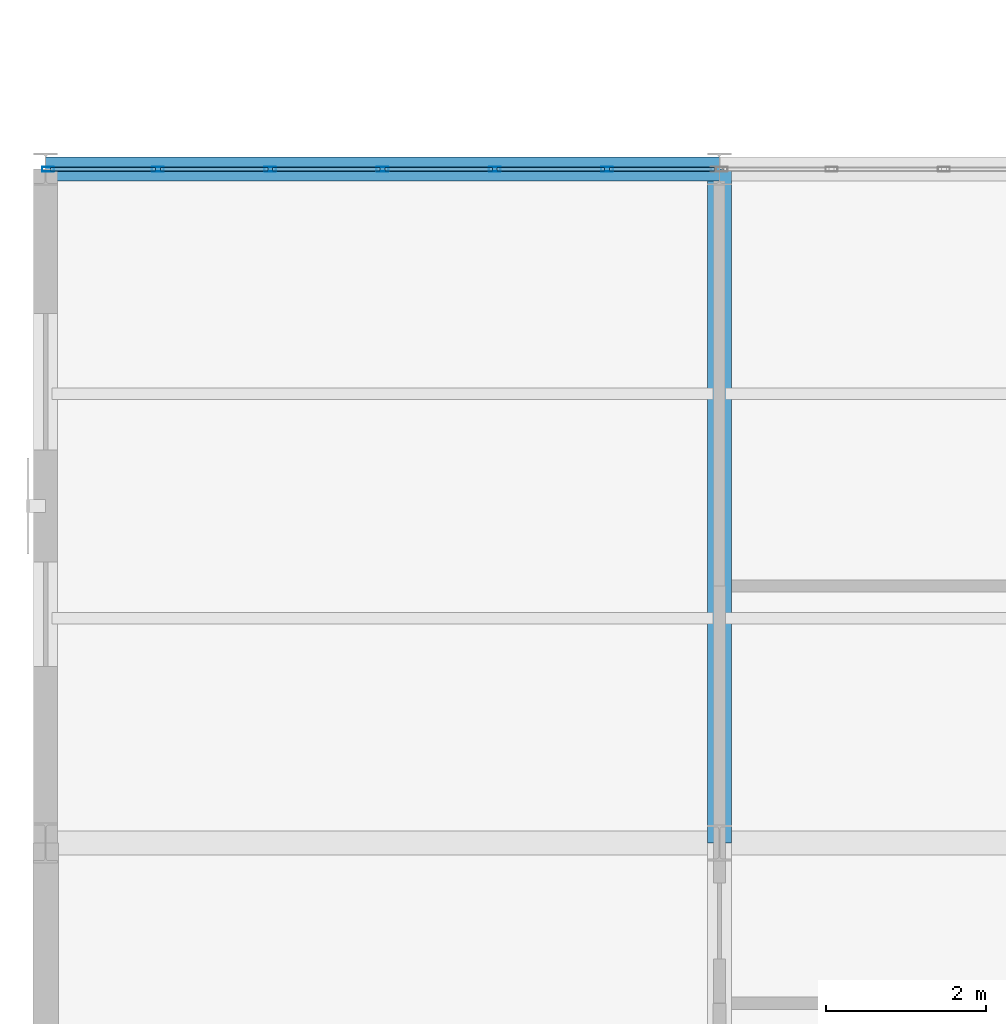
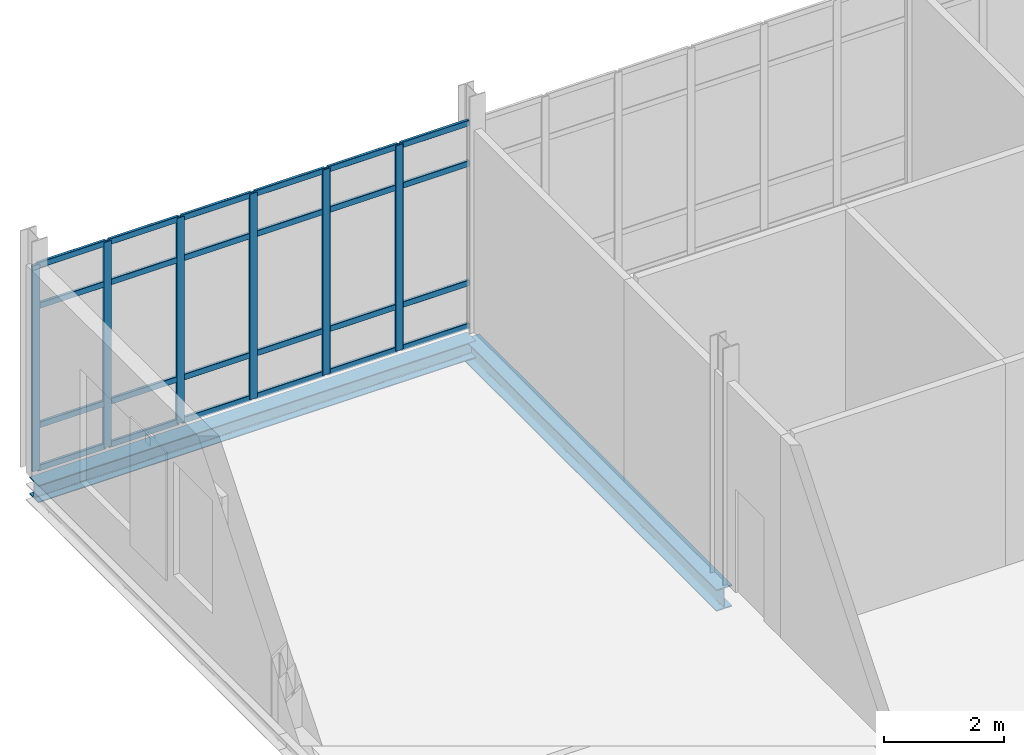
# One storey, part 63 of 145: 30 members, 2 beams, 1 element without a shape of its own.
"""IFC4 building model written with IfcOpenShell, lengths in metres."""

from ifc_helpers import new_model, si_unit, direction, frame, origin, origin_2d, place, context, subcontext, project, spatial, hollow_rectangle, i_section, extrude, material, layer, layer_set, material_profile, profile_set, type_object, element, aggregate, save


model = new_model("IFC4")

# Units and contexts
model_context = context("Model", 3, precision=1e-05, world=origin(), true_north=direction((0.0, 1.0)))
body_context = subcontext(model_context, "Body", "Model", "MODEL_VIEW")
ifc_project = project(units=[si_unit("LENGTHUNIT", "METRE"), si_unit("AREAUNIT", "SQUARE_METRE"), si_unit("VOLUMEUNIT", "CUBIC_METRE"), si_unit("PLANEANGLEUNIT", "RADIAN"), si_unit("MASSUNIT", "GRAM", prefix="KILO")], contexts=[model_context])

# Site, building, storey
site_placement = place(None, origin())
site = spatial("IfcSite", under=ifc_project, at=site_placement, CompositionType="ELEMENT")
building_placement = place(site_placement, origin())
building = spatial("IfcBuilding", under=site, at=building_placement, Name="Qalvenar Corner Mobility Hub", CompositionType="ELEMENT")
storey_placement = place(building_placement, origin())
storey = spatial("IfcBuildingStorey", under=building, at=storey_placement, Name="L00", CompositionType="ELEMENT", Elevation=0.0)

# Beams
ifc_material_1 = material(Name="Steel S355", Category="steel")
ifc_material_profile_1 = material_profile(ifc_material_1, i_section(OverallWidth=0.300048828125, OverallDepth=0.43994140625, WebThickness=0.011474609375, FlangeThickness=0.02099609375, FilletRadius=0.027099609375, at=origin_2d()), Name="HEA450")
ifc_profile_set_1 = profile_set([ifc_material_profile_1], Name="Steel S355")
beam_type_1 = type_object("IfcBeamType", Name="BM-HEA450", PredefinedType="BEAM", material=ifc_profile_set_1)
beam_1_placement = place(storey_placement, frame((8.39990234375, 84.0, -0.43994140625), z_axis=(0.0, 1.0, 0.0), x_axis=(-1.0, 0.0, 0.0)))
element("IfcBeam", 1, at=beam_1_placement, inside=storey, type_object=beam_type_1, Name="Primary Steel Girder GY-0458", PredefinedType="BEAM", context=body_context, shape_type="SweptSolid", body=[
    extrude(i_section(OverallWidth=0.300048828125, OverallDepth=0.43994140625, WebThickness=0.011474609375, FlangeThickness=0.02099609375, FilletRadius=0.027099609375, at=origin_2d()), origin(), (0.0, 0.0, 1.0), 8.39990234375),
])
ifc_material_profile_2 = material_profile(ifc_material_1, i_section(OverallWidth=0.300048828125, OverallDepth=0.35009765625, WebThickness=0.010009765625, FlangeThickness=0.017578125, FilletRadius=0.027099609375, at=origin_2d()), Name="HEA360")
ifc_profile_set_2 = profile_set([ifc_material_profile_2], Name="Steel S355")
beam_type_2 = type_object("IfcBeamType", Name="BM-SPN360", PredefinedType="SPANDREL", material=ifc_profile_set_2)
beam_2_placement = place(storey_placement, frame((0.0, 92.39990234375, -0.39501953125), z_axis=(1.0, 0.0, 0.0), x_axis=(0.0, 1.0, 0.0)))
element("IfcBeam", 2, at=beam_2_placement, inside=storey, type_object=beam_type_2, Name="Primary Steel Girder GX-0443", PredefinedType="SPANDREL", context=body_context, shape_type="SweptSolid", body=[
    extrude(i_section(OverallWidth=0.300048828125, OverallDepth=0.35009765625, WebThickness=0.010009765625, FlangeThickness=0.017578125, FilletRadius=0.027099609375, at=origin_2d()), origin(), (0.0, 0.0, 1.0), 8.39990234375),
])

# Curtain wall, members
ifc_material_2 = material(Name="Anodised Aluminium and Low-E Glazing", Category="aluminium")
ifc_layer = layer(ifc_material_2, 0.14990234375)
ifc_layer_set = layer_set([ifc_layer], Name="Anodised Aluminium and Low-E Glazing")
curtain_wall_type = type_object("IfcCurtainWallType", Name="CW-CYC-84X39", PredefinedType="NOTDEFINED", material=ifc_layer_set)
curtain_wall_placement = place(storey_placement, origin())
curtain_wall = element("IfcCurtainWall", 3, at=curtain_wall_placement, inside=storey, type_object=curtain_wall_type, Name="Glazed Curtain Wall CW-V5-L00-N0", PredefinedType="NOTDEFINED")
ifc_material_3 = material(Name="Anodised Aluminium 6063-T6", Category="aluminium")
ifc_material_profile_3 = material_profile(ifc_material_3, hollow_rectangle(XDim=0.06005859375, YDim=0.14990234375, WallThickness=0.00390625, InnerFilletRadius=0.00390625, OuterFilletRadius=0.008056640625, at=origin_2d()), Name="RHS150x60x4")
ifc_profile_set_3 = profile_set([ifc_material_profile_3], Name="Anodised Aluminium 6063-T6")
member_type_1 = type_object("IfcMemberType", Name="CW-MUL150", PredefinedType="MULLION", material=ifc_profile_set_3)
member_1_placement = place(storey_placement, frame((7.0, 92.39990234375, 0.0), z_axis=(0.0, 0.0, 1.0), x_axis=(0.0, -1.0, 0.0)))
member_1 = element("IfcMember", 4, at=member_1_placement, type_object=member_type_1, Name="CW-08 mullion 2", PredefinedType="MULLION", context=body_context, shape_type="SweptSolid", body=[
    extrude(hollow_rectangle(XDim=0.06005859375, YDim=0.14990234375, WallThickness=0.00390625, InnerFilletRadius=0.00390625, OuterFilletRadius=0.008056640625, at=origin_2d()), origin(), (0.0, 0.0, 1.0), 4.169921875),
])
member_2_placement = place(storey_placement, frame((5.60009765625, 92.39990234375, 0.0), z_axis=(0.0, 0.0, 1.0), x_axis=(0.0, -1.0, 0.0)))
member_2 = element("IfcMember", 5, at=member_2_placement, type_object=member_type_1, Name="CW-08 mullion 3", PredefinedType="MULLION", context=body_context, shape_type="SweptSolid", body=[
    extrude(hollow_rectangle(XDim=0.06005859375, YDim=0.14990234375, WallThickness=0.00390625, InnerFilletRadius=0.00390625, OuterFilletRadius=0.008056640625, at=origin_2d()), origin(), (0.0, 0.0, 1.0), 4.169921875),
])
member_3_placement = place(storey_placement, frame((4.199951171875, 92.39990234375, 0.0), z_axis=(0.0, 0.0, 1.0), x_axis=(0.0, -1.0, 0.0)))
member_3 = element("IfcMember", 6, at=member_3_placement, type_object=member_type_1, Name="CW-08 mullion 4", PredefinedType="MULLION", context=body_context, shape_type="SweptSolid", body=[
    extrude(hollow_rectangle(XDim=0.06005859375, YDim=0.14990234375, WallThickness=0.00390625, InnerFilletRadius=0.00390625, OuterFilletRadius=0.008056640625, at=origin_2d()), origin(), (0.0, 0.0, 1.0), 4.169921875),
])
member_4_placement = place(storey_placement, frame((2.800048828125, 92.39990234375, 0.0), z_axis=(0.0, 0.0, 1.0), x_axis=(0.0, -1.0, 0.0)))
member_4 = element("IfcMember", 7, at=member_4_placement, type_object=member_type_1, Name="CW-08 mullion 5", PredefinedType="MULLION", context=body_context, shape_type="SweptSolid", body=[
    extrude(hollow_rectangle(XDim=0.06005859375, YDim=0.14990234375, WallThickness=0.00390625, InnerFilletRadius=0.00390625, OuterFilletRadius=0.008056640625, at=origin_2d()), origin(), (0.0, 0.0, 1.0), 4.169921875),
])
member_5_placement = place(storey_placement, frame((1.39990234375, 92.39990234375, 0.0), z_axis=(0.0, 0.0, 1.0), x_axis=(0.0, -1.0, 0.0)))
member_5 = element("IfcMember", 8, at=member_5_placement, type_object=member_type_1, Name="CW-08 mullion 6", PredefinedType="MULLION", context=body_context, shape_type="SweptSolid", body=[
    extrude(hollow_rectangle(XDim=0.06005859375, YDim=0.14990234375, WallThickness=0.00390625, InnerFilletRadius=0.00390625, OuterFilletRadius=0.008056640625, at=origin_2d()), origin(), (0.0, 0.0, 1.0), 4.169921875),
])
member_6_placement = place(storey_placement, frame((0.030029296875, 92.39990234375, 0.0), z_axis=(0.0, 0.0, 1.0), x_axis=(0.0, -1.0, 0.0)))
member_6 = element("IfcMember", 9, at=member_6_placement, type_object=member_type_1, Name="CW-08 mullion 7", PredefinedType="MULLION", context=body_context, shape_type="SweptSolid", body=[
    extrude(hollow_rectangle(XDim=0.06005859375, YDim=0.14990234375, WallThickness=0.00390625, InnerFilletRadius=0.00390625, OuterFilletRadius=0.008056640625, at=origin_2d()), origin(), (0.0, 0.0, 1.0), 4.169921875),
])
ifc_material_profile_4 = material_profile(ifc_material_3, hollow_rectangle(XDim=0.054931640625, YDim=0.1201171875, WallThickness=0.00341796875, InnerFilletRadius=0.00341796875, OuterFilletRadius=0.007080078125, at=origin_2d()), Name="RHS120x55x3.5")
ifc_profile_set_4 = profile_set([ifc_material_profile_4], Name="Anodised Aluminium 6063-T6")
member_type_2 = type_object("IfcMemberType", Name="CW-TRN120", PredefinedType="USERDEFINED", material=ifc_profile_set_4)
member_7_placement = place(storey_placement, frame((8.340087890625, 92.39990234375, 0.027587890625), z_axis=(-1.0, 0.0, 0.0), x_axis=(0.0, -1.0, 0.0)))
member_7 = element("IfcMember", 10, at=member_7_placement, type_object=member_type_2, Name="CW-08 transom 1.1", ObjectType="TRANSOM", PredefinedType="USERDEFINED", context=body_context, shape_type="SweptSolid", body=[
    extrude(hollow_rectangle(XDim=0.054931640625, YDim=0.1201171875, WallThickness=0.00341796875, InnerFilletRadius=0.00341796875, OuterFilletRadius=0.007080078125, at=origin_2d()), origin(), (0.0, 0.0, 1.0), 1.31005859375),
])
member_8_placement = place(storey_placement, frame((8.340087890625, 92.39990234375, 0.89990234375), z_axis=(-1.0, 0.0, 0.0), x_axis=(0.0, -1.0, 0.0)))
member_8 = element("IfcMember", 11, at=member_8_placement, type_object=member_type_2, Name="CW-08 transom 1.2", ObjectType="TRANSOM", PredefinedType="USERDEFINED", context=body_context, shape_type="SweptSolid", body=[
    extrude(hollow_rectangle(XDim=0.054931640625, YDim=0.1201171875, WallThickness=0.00341796875, InnerFilletRadius=0.00341796875, OuterFilletRadius=0.007080078125, at=origin_2d()), origin(), (0.0, 0.0, 1.0), 1.31005859375),
])
member_9_placement = place(storey_placement, frame((8.340087890625, 92.39990234375, 3.320068359375), z_axis=(-1.0, 0.0, 0.0), x_axis=(0.0, -1.0, 0.0)))
member_9 = element("IfcMember", 12, at=member_9_placement, type_object=member_type_2, Name="CW-08 transom 1.3", ObjectType="TRANSOM", PredefinedType="USERDEFINED", context=body_context, shape_type="SweptSolid", body=[
    extrude(hollow_rectangle(XDim=0.054931640625, YDim=0.1201171875, WallThickness=0.00341796875, InnerFilletRadius=0.00341796875, OuterFilletRadius=0.007080078125, at=origin_2d()), origin(), (0.0, 0.0, 1.0), 1.31005859375),
])
member_10_placement = place(storey_placement, frame((8.340087890625, 92.39990234375, 4.142578125), z_axis=(-1.0, 0.0, 0.0), x_axis=(0.0, -1.0, 0.0)))
member_10 = element("IfcMember", 13, at=member_10_placement, type_object=member_type_2, Name="CW-08 transom 1.4", ObjectType="TRANSOM", PredefinedType="USERDEFINED", context=body_context, shape_type="SweptSolid", body=[
    extrude(hollow_rectangle(XDim=0.054931640625, YDim=0.1201171875, WallThickness=0.00341796875, InnerFilletRadius=0.00341796875, OuterFilletRadius=0.007080078125, at=origin_2d()), origin(), (0.0, 0.0, 1.0), 1.31005859375),
])
member_11_placement = place(storey_placement, frame((6.969970703125, 92.39990234375, 0.027587890625), z_axis=(-1.0, 0.0, 0.0), x_axis=(0.0, -1.0, 0.0)))
member_11 = element("IfcMember", 14, at=member_11_placement, type_object=member_type_2, Name="CW-08 transom 2.1", ObjectType="TRANSOM", PredefinedType="USERDEFINED", context=body_context, shape_type="SweptSolid", body=[
    extrude(hollow_rectangle(XDim=0.054931640625, YDim=0.1201171875, WallThickness=0.00341796875, InnerFilletRadius=0.00341796875, OuterFilletRadius=0.007080078125, at=origin_2d()), origin(), (0.0, 0.0, 1.0), 1.340087890625),
])
member_12_placement = place(storey_placement, frame((6.969970703125, 92.39990234375, 0.89990234375), z_axis=(-1.0, 0.0, 0.0), x_axis=(0.0, -1.0, 0.0)))
member_12 = element("IfcMember", 15, at=member_12_placement, type_object=member_type_2, Name="CW-08 transom 2.2", ObjectType="TRANSOM", PredefinedType="USERDEFINED", context=body_context, shape_type="SweptSolid", body=[
    extrude(hollow_rectangle(XDim=0.054931640625, YDim=0.1201171875, WallThickness=0.00341796875, InnerFilletRadius=0.00341796875, OuterFilletRadius=0.007080078125, at=origin_2d()), origin(), (0.0, 0.0, 1.0), 1.340087890625),
])
member_13_placement = place(storey_placement, frame((6.969970703125, 92.39990234375, 3.320068359375), z_axis=(-1.0, 0.0, 0.0), x_axis=(0.0, -1.0, 0.0)))
member_13 = element("IfcMember", 16, at=member_13_placement, type_object=member_type_2, Name="CW-08 transom 2.3", ObjectType="TRANSOM", PredefinedType="USERDEFINED", context=body_context, shape_type="SweptSolid", body=[
    extrude(hollow_rectangle(XDim=0.054931640625, YDim=0.1201171875, WallThickness=0.00341796875, InnerFilletRadius=0.00341796875, OuterFilletRadius=0.007080078125, at=origin_2d()), origin(), (0.0, 0.0, 1.0), 1.340087890625),
])
member_14_placement = place(storey_placement, frame((6.969970703125, 92.39990234375, 4.142578125), z_axis=(-1.0, 0.0, 0.0), x_axis=(0.0, -1.0, 0.0)))
member_14 = element("IfcMember", 17, at=member_14_placement, type_object=member_type_2, Name="CW-08 transom 2.4", ObjectType="TRANSOM", PredefinedType="USERDEFINED", context=body_context, shape_type="SweptSolid", body=[
    extrude(hollow_rectangle(XDim=0.054931640625, YDim=0.1201171875, WallThickness=0.00341796875, InnerFilletRadius=0.00341796875, OuterFilletRadius=0.007080078125, at=origin_2d()), origin(), (0.0, 0.0, 1.0), 1.340087890625),
])
member_15_placement = place(storey_placement, frame((5.570068359375, 92.39990234375, 0.027587890625), z_axis=(-1.0, 0.0, 0.0), x_axis=(0.0, -1.0, 0.0)))
member_15 = element("IfcMember", 18, at=member_15_placement, type_object=member_type_2, Name="CW-08 transom 3.1", ObjectType="TRANSOM", PredefinedType="USERDEFINED", context=body_context, shape_type="SweptSolid", body=[
    extrude(hollow_rectangle(XDim=0.054931640625, YDim=0.1201171875, WallThickness=0.00341796875, InnerFilletRadius=0.00341796875, OuterFilletRadius=0.007080078125, at=origin_2d()), origin(), (0.0, 0.0, 1.0), 1.340087890625),
])
member_16_placement = place(storey_placement, frame((5.570068359375, 92.39990234375, 0.89990234375), z_axis=(-1.0, 0.0, 0.0), x_axis=(0.0, -1.0, 0.0)))
member_16 = element("IfcMember", 19, at=member_16_placement, type_object=member_type_2, Name="CW-08 transom 3.2", ObjectType="TRANSOM", PredefinedType="USERDEFINED", context=body_context, shape_type="SweptSolid", body=[
    extrude(hollow_rectangle(XDim=0.054931640625, YDim=0.1201171875, WallThickness=0.00341796875, InnerFilletRadius=0.00341796875, OuterFilletRadius=0.007080078125, at=origin_2d()), origin(), (0.0, 0.0, 1.0), 1.340087890625),
])
member_17_placement = place(storey_placement, frame((5.570068359375, 92.39990234375, 3.320068359375), z_axis=(-1.0, 0.0, 0.0), x_axis=(0.0, -1.0, 0.0)))
member_17 = element("IfcMember", 20, at=member_17_placement, type_object=member_type_2, Name="CW-08 transom 3.3", ObjectType="TRANSOM", PredefinedType="USERDEFINED", context=body_context, shape_type="SweptSolid", body=[
    extrude(hollow_rectangle(XDim=0.054931640625, YDim=0.1201171875, WallThickness=0.00341796875, InnerFilletRadius=0.00341796875, OuterFilletRadius=0.007080078125, at=origin_2d()), origin(), (0.0, 0.0, 1.0), 1.340087890625),
])
member_18_placement = place(storey_placement, frame((5.570068359375, 92.39990234375, 4.142578125), z_axis=(-1.0, 0.0, 0.0), x_axis=(0.0, -1.0, 0.0)))
member_18 = element("IfcMember", 21, at=member_18_placement, type_object=member_type_2, Name="CW-08 transom 3.4", ObjectType="TRANSOM", PredefinedType="USERDEFINED", context=body_context, shape_type="SweptSolid", body=[
    extrude(hollow_rectangle(XDim=0.054931640625, YDim=0.1201171875, WallThickness=0.00341796875, InnerFilletRadius=0.00341796875, OuterFilletRadius=0.007080078125, at=origin_2d()), origin(), (0.0, 0.0, 1.0), 1.340087890625),
])
member_19_placement = place(storey_placement, frame((4.169921875, 92.39990234375, 0.027587890625), z_axis=(-1.0, 0.0, 0.0), x_axis=(0.0, -1.0, 0.0)))
member_19 = element("IfcMember", 22, at=member_19_placement, type_object=member_type_2, Name="CW-08 transom 4.1", ObjectType="TRANSOM", PredefinedType="USERDEFINED", context=body_context, shape_type="SweptSolid", body=[
    extrude(hollow_rectangle(XDim=0.054931640625, YDim=0.1201171875, WallThickness=0.00341796875, InnerFilletRadius=0.00341796875, OuterFilletRadius=0.007080078125, at=origin_2d()), origin(), (0.0, 0.0, 1.0), 1.33984375),
])
member_20_placement = place(storey_placement, frame((4.169921875, 92.39990234375, 0.89990234375), z_axis=(-1.0, 0.0, 0.0), x_axis=(0.0, -1.0, 0.0)))
member_20 = element("IfcMember", 23, at=member_20_placement, type_object=member_type_2, Name="CW-08 transom 4.2", ObjectType="TRANSOM", PredefinedType="USERDEFINED", context=body_context, shape_type="SweptSolid", body=[
    extrude(hollow_rectangle(XDim=0.054931640625, YDim=0.1201171875, WallThickness=0.00341796875, InnerFilletRadius=0.00341796875, OuterFilletRadius=0.007080078125, at=origin_2d()), origin(), (0.0, 0.0, 1.0), 1.33984375),
])
member_21_placement = place(storey_placement, frame((4.169921875, 92.39990234375, 3.320068359375), z_axis=(-1.0, 0.0, 0.0), x_axis=(0.0, -1.0, 0.0)))
member_21 = element("IfcMember", 24, at=member_21_placement, type_object=member_type_2, Name="CW-08 transom 4.3", ObjectType="TRANSOM", PredefinedType="USERDEFINED", context=body_context, shape_type="SweptSolid", body=[
    extrude(hollow_rectangle(XDim=0.054931640625, YDim=0.1201171875, WallThickness=0.00341796875, InnerFilletRadius=0.00341796875, OuterFilletRadius=0.007080078125, at=origin_2d()), origin(), (0.0, 0.0, 1.0), 1.33984375),
])
member_22_placement = place(storey_placement, frame((4.169921875, 92.39990234375, 4.142578125), z_axis=(-1.0, 0.0, 0.0), x_axis=(0.0, -1.0, 0.0)))
member_22 = element("IfcMember", 25, at=member_22_placement, type_object=member_type_2, Name="CW-08 transom 4.4", ObjectType="TRANSOM", PredefinedType="USERDEFINED", context=body_context, shape_type="SweptSolid", body=[
    extrude(hollow_rectangle(XDim=0.054931640625, YDim=0.1201171875, WallThickness=0.00341796875, InnerFilletRadius=0.00341796875, OuterFilletRadius=0.007080078125, at=origin_2d()), origin(), (0.0, 0.0, 1.0), 1.33984375),
])
member_23_placement = place(storey_placement, frame((2.77001953125, 92.39990234375, 0.027587890625), z_axis=(-1.0, 0.0, 0.0), x_axis=(0.0, -1.0, 0.0)))
member_23 = element("IfcMember", 26, at=member_23_placement, type_object=member_type_2, Name="CW-08 transom 5.1", ObjectType="TRANSOM", PredefinedType="USERDEFINED", context=body_context, shape_type="SweptSolid", body=[
    extrude(hollow_rectangle(XDim=0.054931640625, YDim=0.1201171875, WallThickness=0.00341796875, InnerFilletRadius=0.00341796875, OuterFilletRadius=0.007080078125, at=origin_2d()), origin(), (0.0, 0.0, 1.0), 1.340087890625),
])
member_24_placement = place(storey_placement, frame((2.77001953125, 92.39990234375, 0.89990234375), z_axis=(-1.0, 0.0, 0.0), x_axis=(0.0, -1.0, 0.0)))
member_24 = element("IfcMember", 27, at=member_24_placement, type_object=member_type_2, Name="CW-08 transom 5.2", ObjectType="TRANSOM", PredefinedType="USERDEFINED", context=body_context, shape_type="SweptSolid", body=[
    extrude(hollow_rectangle(XDim=0.054931640625, YDim=0.1201171875, WallThickness=0.00341796875, InnerFilletRadius=0.00341796875, OuterFilletRadius=0.007080078125, at=origin_2d()), origin(), (0.0, 0.0, 1.0), 1.340087890625),
])
member_25_placement = place(storey_placement, frame((2.77001953125, 92.39990234375, 3.320068359375), z_axis=(-1.0, 0.0, 0.0), x_axis=(0.0, -1.0, 0.0)))
member_25 = element("IfcMember", 28, at=member_25_placement, type_object=member_type_2, Name="CW-08 transom 5.3", ObjectType="TRANSOM", PredefinedType="USERDEFINED", context=body_context, shape_type="SweptSolid", body=[
    extrude(hollow_rectangle(XDim=0.054931640625, YDim=0.1201171875, WallThickness=0.00341796875, InnerFilletRadius=0.00341796875, OuterFilletRadius=0.007080078125, at=origin_2d()), origin(), (0.0, 0.0, 1.0), 1.340087890625),
])
member_26_placement = place(storey_placement, frame((2.77001953125, 92.39990234375, 4.142578125), z_axis=(-1.0, 0.0, 0.0), x_axis=(0.0, -1.0, 0.0)))
member_26 = element("IfcMember", 29, at=member_26_placement, type_object=member_type_2, Name="CW-08 transom 5.4", ObjectType="TRANSOM", PredefinedType="USERDEFINED", context=body_context, shape_type="SweptSolid", body=[
    extrude(hollow_rectangle(XDim=0.054931640625, YDim=0.1201171875, WallThickness=0.00341796875, InnerFilletRadius=0.00341796875, OuterFilletRadius=0.007080078125, at=origin_2d()), origin(), (0.0, 0.0, 1.0), 1.340087890625),
])
member_27_placement = place(storey_placement, frame((1.3701171875, 92.39990234375, 0.027587890625), z_axis=(-1.0, 0.0, 0.0), x_axis=(0.0, -1.0, 0.0)))
member_27 = element("IfcMember", 30, at=member_27_placement, type_object=member_type_2, Name="CW-08 transom 6.1", ObjectType="TRANSOM", PredefinedType="USERDEFINED", context=body_context, shape_type="SweptSolid", body=[
    extrude(hollow_rectangle(XDim=0.054931640625, YDim=0.1201171875, WallThickness=0.00341796875, InnerFilletRadius=0.00341796875, OuterFilletRadius=0.007080078125, at=origin_2d()), origin(), (0.0, 0.0, 1.0), 1.31005859375),
])
member_28_placement = place(storey_placement, frame((1.3701171875, 92.39990234375, 0.89990234375), z_axis=(-1.0, 0.0, 0.0), x_axis=(0.0, -1.0, 0.0)))
member_28 = element("IfcMember", 31, at=member_28_placement, type_object=member_type_2, Name="CW-08 transom 6.2", ObjectType="TRANSOM", PredefinedType="USERDEFINED", context=body_context, shape_type="SweptSolid", body=[
    extrude(hollow_rectangle(XDim=0.054931640625, YDim=0.1201171875, WallThickness=0.00341796875, InnerFilletRadius=0.00341796875, OuterFilletRadius=0.007080078125, at=origin_2d()), origin(), (0.0, 0.0, 1.0), 1.31005859375),
])
member_29_placement = place(storey_placement, frame((1.3701171875, 92.39990234375, 3.320068359375), z_axis=(-1.0, 0.0, 0.0), x_axis=(0.0, -1.0, 0.0)))
member_29 = element("IfcMember", 32, at=member_29_placement, type_object=member_type_2, Name="CW-08 transom 6.3", ObjectType="TRANSOM", PredefinedType="USERDEFINED", context=body_context, shape_type="SweptSolid", body=[
    extrude(hollow_rectangle(XDim=0.054931640625, YDim=0.1201171875, WallThickness=0.00341796875, InnerFilletRadius=0.00341796875, OuterFilletRadius=0.007080078125, at=origin_2d()), origin(), (0.0, 0.0, 1.0), 1.31005859375),
])
member_30_placement = place(storey_placement, frame((1.3701171875, 92.39990234375, 4.142578125), z_axis=(-1.0, 0.0, 0.0), x_axis=(0.0, -1.0, 0.0)))
member_30 = element("IfcMember", 33, at=member_30_placement, type_object=member_type_2, Name="CW-08 transom 6.4", ObjectType="TRANSOM", PredefinedType="USERDEFINED", context=body_context, shape_type="SweptSolid", body=[
    extrude(hollow_rectangle(XDim=0.054931640625, YDim=0.1201171875, WallThickness=0.00341796875, InnerFilletRadius=0.00341796875, OuterFilletRadius=0.007080078125, at=origin_2d()), origin(), (0.0, 0.0, 1.0), 1.31005859375),
])
aggregate(curtain_wall, [member_1, member_2, member_3, member_4, member_5, member_6, member_7, member_8, member_9, member_10, member_11, member_12, member_13, member_14, member_15, member_16, member_17, member_18, member_19, member_20, member_21, member_22, member_23, member_24, member_25, member_26, member_27, member_28, member_29, member_30])

save(model, "model.ifc")
